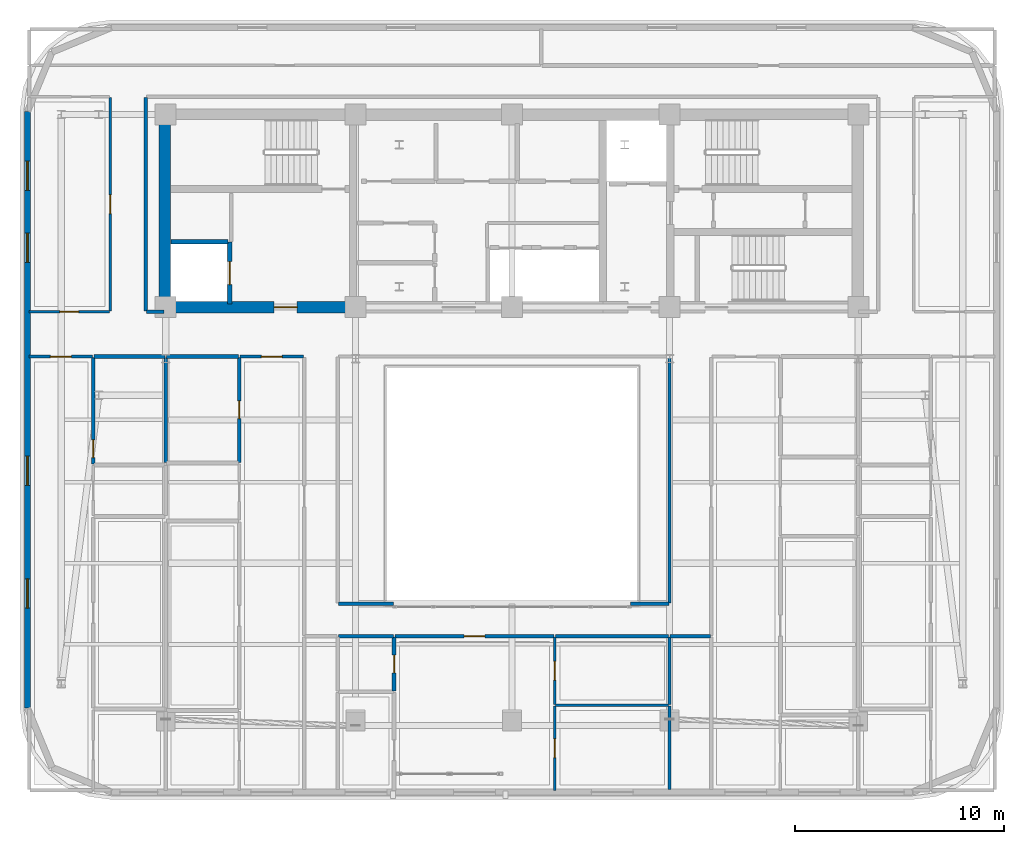
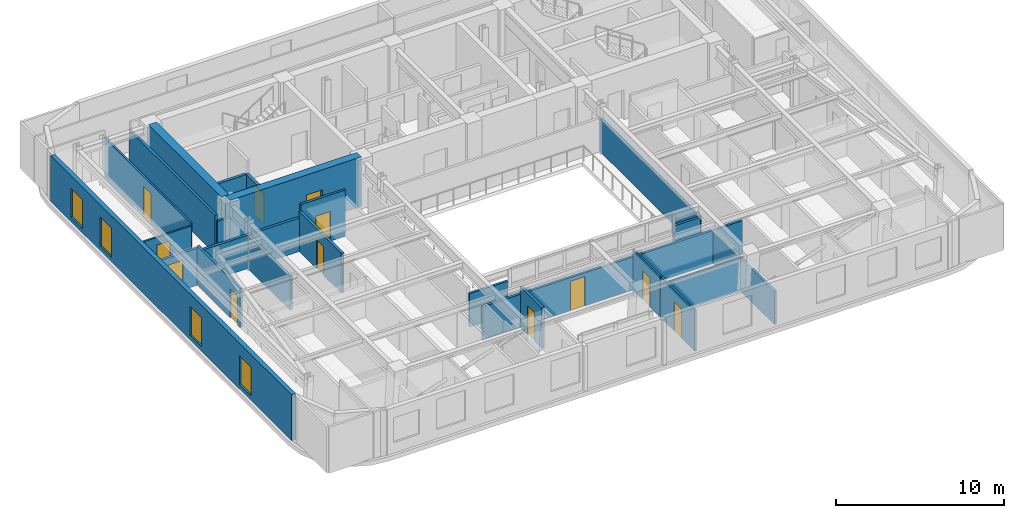
# One storey, part 7 of 15: 29 walls, 12 doors, 4 windows, 16 openings.
"""IFC4 building model written with IfcOpenShell, lengths in metres."""

from ifc_helpers import new_model, si_unit, direction, frame, frame_2d, origin, place, context, subcontext, project, spatial, rectangle, extrude, material, layer, layer_set, type_object, element, fill, save


model = new_model("IFC4")

# Units and contexts
model_context = context("Model", 3, precision=1e-05, world=origin(), true_north=direction((0.0, 1.0)))
body_context = subcontext(model_context, "Body", "Model", "MODEL_VIEW")
ifc_project = project(units=[si_unit("LENGTHUNIT", "METRE"), si_unit("AREAUNIT", "SQUARE_METRE"), si_unit("VOLUMEUNIT", "CUBIC_METRE"), si_unit("PLANEANGLEUNIT", "RADIAN"), si_unit("MASSUNIT", "GRAM", prefix="KILO")], contexts=[model_context])

# Site, building, storey
site_placement = place(None, origin())
site = spatial("IfcSite", under=ifc_project, at=site_placement, CompositionType="ELEMENT")
building_placement = place(site_placement, origin())
building = spatial("IfcBuilding", under=site, at=building_placement, Name="Zarnavel Station Tower", CompositionType="ELEMENT")
storey_placement = place(building_placement, frame((0.0, 0.0, 200.39990234375)))
storey = spatial("IfcBuildingStorey", under=building, at=storey_placement, Name="L54", CompositionType="ELEMENT", Elevation=200.39990234375)

# Wall, opening, door
ifc_material_1 = material(Name="Concrete C50/60", Category="concrete")
ifc_layer_1 = layer(ifc_material_1, 0.550048828125)
ifc_layer_set_1 = layer_set([ifc_layer_1], Name="CW_550")
wall_type_1 = type_object("IfcWallType", Name="CW_550", PredefinedType="SHEAR", material=ifc_layer_set_1)
wall_1_placement = place(storey_placement, frame((21.179931640625, 27.820068359375, 0.0), z_axis=(0.0, 0.0, 1.0), x_axis=(-1.0, 0.0, 0.0)))
wall_1 = element("IfcWall", 1, at=wall_1_placement, inside=storey, type_object=wall_type_1, Name="L54 Rear Core Shear Wall S-W", PredefinedType="SHEAR", context=body_context, shape_type="SweptSolid", body=[
    extrude(rectangle(XDim=9.030029296875, YDim=0.550048828125, at=frame_2d((4.51513671875, 0.0))), origin(), (0.0, 0.0, 1.0), 3.60009765625),
])
opening_1_placement = place(wall_1_placement, frame((2.679931640625, 0.0, 0.0)))
opening_1 = element("IfcOpeningElement", 2, at=opening_1_placement, cuts=wall_1, Name="Opening FD01", PredefinedType="OPENING", context=body_context, shape_type="SweptSolid", body=[
    extrude(rectangle(XDim=1.10009765625, YDim=2.14990234375, at=frame_2d((0.550048828125, 1.074951171875))), frame((0.0, 0.284912109375, 0.0), z_axis=(0.0, -1.0, 0.0), x_axis=(1.0, 0.0, 0.0)), (0.0, 0.0, 1.0), 0.570068359375),
])
ifc_material_2 = material(Name="Painted Galvanised Steel and Hardwood Leaf", Category="steel")
door_type_1 = type_object("IfcDoorType", Name="ID_STAIR_1100", OperationType="NOTDEFINED", PredefinedType="DOOR", material=ifc_material_2)
door_1_placement = place(opening_1_placement, origin())
door_1 = element("IfcDoor", 3, at=door_1_placement, inside=storey, type_object=door_type_1, Name="L54 West Firefighting Lobby Door", OperationType="SINGLE_SWING_RIGHT", OverallHeight=2.14990234375, OverallWidth=1.10009765625, PredefinedType="DOOR", context=body_context, shape_type="SweptSolid", body=[
    extrude(rectangle(XDim=1.10009765625, YDim=2.14990234375, at=frame_2d((0.550048828125, 1.074951171875))), frame((0.0, 0.02490234375, 0.0), z_axis=(0.0, -1.0, 0.0), x_axis=(1.0, 0.0, 0.0)), (0.0, 0.0, 1.0), 0.050048828125),
])
fill(opening_1, door_1)

# Wall
wall_2_placement = place(storey_placement, frame((12.14990234375, 28.094970703125, 0.0), z_axis=(0.0, 0.0, 1.0), x_axis=(0.0, 1.0, 0.0)))
element("IfcWall", 4, at=wall_2_placement, inside=storey, type_object=wall_type_1, Name="L54 Rear Core Shear Wall W", PredefinedType="SHEAR", context=body_context, shape_type="SweptSolid", body=[
    extrude(rectangle(XDim=8.679931640625, YDim=0.550048828125, at=frame_2d((4.33984375, 0.0))), origin(), (0.0, 0.0, 1.0), 3.60009765625),
])

# Wall, openings, windows
ifc_material_3 = material(Name="Precast concrete C45/55 (Dark Basalt Finish)", Category="masonry")
ifc_layer_2 = layer(ifc_material_3, 0.300048828125)
ifc_layer_set_2 = layer_set([ifc_layer_2], Name="EW_BASALT_300")
wall_type_2 = type_object("IfcWallType", Name="EW_BASALT_300", PredefinedType="SOLIDWALL", material=ifc_layer_set_2)
wall_3_placement = place(storey_placement, frame((5.580078125, 8.60009765625, 0.0), z_axis=(0.0, 0.0, 1.0), x_axis=(0.0, 1.0, 0.0)))
wall_3 = element("IfcWall", 5, at=wall_3_placement, inside=storey, type_object=wall_type_2, Name="L54 Exterior Basalt Masonry Frame Wall 09", PredefinedType="SOLIDWALL", context=body_context, shape_type="SweptSolid", body=[
    extrude(rectangle(XDim=28.599853515625, YDim=0.300048828125, at=frame_2d((14.2998046875, 0.0))), origin(), (0.0, 0.0, 1.0), 3.340087890625),
])
opening_2_placement = place(wall_3_placement, frame((21.360107421875, 0.0, 0.340087890625)))
opening_2 = element("IfcOpeningElement", 6, at=opening_2_placement, cuts=wall_3, Name="Opening WN04", PredefinedType="OPENING", context=body_context, shape_type="SweptSolid", body=[
    extrude(rectangle(XDim=1.39990234375, YDim=2.10009765625, at=frame_2d((0.699951171875, 1.050048828125))), frame((0.0, 0.159912109375, 0.0), z_axis=(0.0, -1.0, 0.0), x_axis=(1.0, 0.0, 0.0)), (0.0, 0.0, 1.0), 0.320068359375),
])
opening_3_placement = place(wall_3_placement, frame((24.820068359375, 0.0, 0.340087890625)))
opening_3 = element("IfcOpeningElement", 7, at=opening_3_placement, cuts=wall_3, Name="Opening WN04", PredefinedType="OPENING", context=body_context, shape_type="SweptSolid", body=[
    extrude(rectangle(XDim=1.39990234375, YDim=2.10009765625, at=frame_2d((0.699951171875, 1.050048828125))), frame((0.0, 0.159912109375, 0.0), z_axis=(0.0, -1.0, 0.0), x_axis=(1.0, 0.0, 0.0)), (0.0, 0.0, 1.0), 0.320068359375),
])
opening_4_placement = place(wall_3_placement, frame((4.796630859375, 0.0, 0.340087890625)))
opening_4 = element("IfcOpeningElement", 8, at=opening_4_placement, cuts=wall_3, Name="Opening WN04", PredefinedType="OPENING", context=body_context, shape_type="SweptSolid", body=[
    extrude(rectangle(XDim=1.39990234375, YDim=2.10009765625, at=frame_2d((0.699951171875, 1.050048828125))), frame((0.0, 0.159912109375, 0.0), z_axis=(0.0, -1.0, 0.0), x_axis=(1.0, 0.0, 0.0)), (0.0, 0.0, 1.0), 0.320068359375),
])
opening_5_placement = place(wall_3_placement, frame((10.67333984375, 0.0, 0.340087890625)))
opening_5 = element("IfcOpeningElement", 9, at=opening_5_placement, cuts=wall_3, Name="Opening WN04", PredefinedType="OPENING", context=body_context, shape_type="SweptSolid", body=[
    extrude(rectangle(XDim=1.39990234375, YDim=2.10009765625, at=frame_2d((0.699951171875, 1.050048828125))), frame((0.0, 0.159912109375, 0.0), z_axis=(0.0, -1.0, 0.0), x_axis=(1.0, 0.0, 0.0)), (0.0, 0.0, 1.0), 0.320068359375),
])
ifc_material_4 = material(Name="Thermally Broken Black Aluminium and Low-E Dark Glass", Category="aluminium")
window_type = type_object("IfcWindowType", Name="WN_1400x2100", PartitioningType="DOUBLE_PANEL_VERTICAL", PredefinedType="WINDOW", material=ifc_material_4)
window_1_placement = place(opening_2_placement, origin())
window_1 = element("IfcWindow", 10, at=window_1_placement, inside=storey, type_object=window_type, Name="L54 Recessed Facade Window 01", OverallHeight=2.10009765625, OverallWidth=1.39990234375, PartitioningType="SINGLE_PANEL", PredefinedType="WINDOW", context=body_context, shape_type="SweptSolid", body=[
    extrude(rectangle(XDim=1.39990234375, YDim=2.10009765625, at=frame_2d((0.699951171875, 1.050048828125))), frame((0.0, 0.030029296875, 0.0), z_axis=(0.0, -1.0, 0.0), x_axis=(1.0, 0.0, 0.0)), (0.0, 0.0, 1.0), 0.06005859375),
])
fill(opening_2, window_1)
window_2_placement = place(opening_3_placement, origin())
window_2 = element("IfcWindow", 11, at=window_2_placement, inside=storey, type_object=window_type, Name="L54 Recessed Facade Window 02", OverallHeight=2.10009765625, OverallWidth=1.39990234375, PartitioningType="SINGLE_PANEL", PredefinedType="WINDOW", context=body_context, shape_type="SweptSolid", body=[
    extrude(rectangle(XDim=1.39990234375, YDim=2.10009765625, at=frame_2d((0.699951171875, 1.050048828125))), frame((0.0, 0.030029296875, 0.0), z_axis=(0.0, -1.0, 0.0), x_axis=(1.0, 0.0, 0.0)), (0.0, 0.0, 1.0), 0.06005859375),
])
fill(opening_3, window_2)
window_3_placement = place(opening_4_placement, origin())
window_3 = element("IfcWindow", 12, at=window_3_placement, inside=storey, type_object=window_type, Name="L54 Recessed Facade Window 03", OverallHeight=2.10009765625, OverallWidth=1.39990234375, PartitioningType="SINGLE_PANEL", PredefinedType="WINDOW", context=body_context, shape_type="SweptSolid", body=[
    extrude(rectangle(XDim=1.39990234375, YDim=2.10009765625, at=frame_2d((0.699951171875, 1.050048828125))), frame((0.0, 0.030029296875, 0.0), z_axis=(0.0, -1.0, 0.0), x_axis=(1.0, 0.0, 0.0)), (0.0, 0.0, 1.0), 0.06005859375),
])
fill(opening_4, window_3)
window_4_placement = place(opening_5_placement, origin())
window_4 = element("IfcWindow", 13, at=window_4_placement, inside=storey, type_object=window_type, Name="L54 Recessed Facade Window 04", OverallHeight=2.10009765625, OverallWidth=1.39990234375, PartitioningType="SINGLE_PANEL", PredefinedType="WINDOW", context=body_context, shape_type="SweptSolid", body=[
    extrude(rectangle(XDim=1.39990234375, YDim=2.10009765625, at=frame_2d((0.699951171875, 1.050048828125))), frame((0.0, 0.030029296875, 0.0), z_axis=(0.0, -1.0, 0.0), x_axis=(1.0, 0.0, 0.0)), (0.0, 0.0, 1.0), 0.06005859375),
])
fill(opening_5, window_4)

# Wall, opening, door
ifc_material_5 = material(Name="Gypsum Twin-Stud Acoustic Fire Partition", Category="concrete")
ifc_layer_3 = layer(ifc_material_5, 0.159912109375)
ifc_layer_set_3 = layer_set([ifc_layer_3], Name="PT_DEMISE_160")
wall_type_3 = type_object("IfcWallType", Name="PT_DEMISE_160", PredefinedType="PARTITIONING", material=ifc_layer_set_3)
wall_4_placement = place(storey_placement, frame((5.659912109375, 25.449951171875, 0.0), z_axis=(0.0, 0.0, 1.0), x_axis=(1.0, 0.0, 0.0)))
wall_4 = element("IfcWall", 14, at=wall_4_placement, inside=storey, type_object=wall_type_3, Name="L54 Partition COR-S-UW1LV", PredefinedType="PARTITIONING", context=body_context, shape_type="SweptSolid", body=[
    extrude(rectangle(XDim=3.0341796875, YDim=0.159912109375, at=frame_2d((1.51708984375, 0.0))), origin(), (0.0, 0.0, 1.0), 2.670166015625),
])
opening_6_placement = place(wall_4_placement, frame((1.01708984375, 0.0, 0.0)))
opening_6 = element("IfcOpeningElement", 15, at=opening_6_placement, cuts=wall_4, Name="Opening FD02", PredefinedType="OPENING", context=body_context, shape_type="SweptSolid", body=[
    extrude(rectangle(XDim=1.0, YDim=2.14990234375, at=frame_2d((0.5, 1.074951171875))), frame((0.0, 0.08984375, 0.0), z_axis=(0.0, -1.0, 0.0), x_axis=(1.0, 0.0, 0.0)), (0.0, 0.0, 1.0), 0.179931640625),
])
ifc_material_6 = material(Name="Painted Galvanised Steel and Hardwood Leaf", Category="steel")
door_type_2 = type_object("IfcDoorType", Name="ID_ENTRY_1000", OperationType="NOTDEFINED", PredefinedType="DOOR", material=ifc_material_6)
door_2_placement = place(opening_6_placement, origin())
door_2 = element("IfcDoor", 16, at=door_2_placement, inside=storey, type_object=door_type_2, Name="L54 Door COR-S-UW1LV", OperationType="SINGLE_SWING_LEFT", OverallHeight=2.14990234375, OverallWidth=1.0, PredefinedType="DOOR", context=body_context, shape_type="SweptSolid", body=[
    extrude(rectangle(XDim=1.0, YDim=2.14990234375, at=frame_2d((0.5, 1.074951171875))), frame((0.0, 0.02490234375, 0.0), z_axis=(0.0, -1.0, 0.0), x_axis=(1.0, 0.0, 0.0)), (0.0, 0.0, 1.0), 0.050048828125),
])
fill(opening_6, door_2)

wall_5_placement = place(storey_placement, frame((15.764892578125, 25.449951171875, 0.0), z_axis=(0.0, 0.0, 1.0), x_axis=(1.0, 0.0, 0.0)))
wall_5 = element("IfcWall", 17, at=wall_5_placement, inside=storey, type_object=wall_type_3, Name="L54 Partition COR-S-UW2LV", PredefinedType="PARTITIONING", context=body_context, shape_type="SweptSolid", body=[
    extrude(rectangle(XDim=3.045166015625, YDim=0.159912109375, at=frame_2d((1.5224609375, 0.0))), origin(), (0.0, 0.0, 1.0), 3.340087890625),
])
opening_7_placement = place(wall_5_placement, frame((1.0224609375, 0.0, 0.0)))
opening_7 = element("IfcOpeningElement", 18, at=opening_7_placement, cuts=wall_5, Name="Opening FD02", PredefinedType="OPENING", context=body_context, shape_type="SweptSolid", body=[
    extrude(rectangle(XDim=1.0, YDim=2.14990234375, at=frame_2d((0.5, 1.074951171875))), frame((0.0, 0.08984375, 0.0), z_axis=(0.0, -1.0, 0.0), x_axis=(1.0, 0.0, 0.0)), (0.0, 0.0, 1.0), 0.179931640625),
])
door_3_placement = place(opening_7_placement, origin())
door_3 = element("IfcDoor", 19, at=door_3_placement, inside=storey, type_object=door_type_2, Name="L54 Door COR-S-UW2LV", OperationType="SINGLE_SWING_RIGHT", OverallHeight=2.14990234375, OverallWidth=1.0, PredefinedType="DOOR", context=body_context, shape_type="SweptSolid", body=[
    extrude(rectangle(XDim=1.0, YDim=2.14990234375, at=frame_2d((0.5, 1.074951171875))), frame((0.0, 0.02490234375, 0.0), z_axis=(0.0, -1.0, 0.0), x_axis=(1.0, 0.0, 0.0)), (0.0, 0.0, 1.0), 0.050048828125),
])
fill(opening_7, door_3)

wall_6_placement = place(storey_placement, frame((23.18994140625, 12.050048828125, 0.0), z_axis=(0.0, 0.0, 1.0), x_axis=(1.0, 0.0, 0.0)))
wall_6 = element("IfcWall", 20, at=wall_6_placement, inside=storey, type_object=wall_type_3, Name="L54 Partition COR-AS-US1LV", PredefinedType="PARTITIONING", context=body_context, shape_type="SweptSolid", body=[
    extrude(rectangle(XDim=7.6201171875, YDim=0.159912109375, at=frame_2d((3.81005859375, 0.0))), origin(), (0.0, 0.0, 1.0), 2.420166015625),
])
opening_8_placement = place(wall_6_placement, frame((3.31005859375, 0.0, 0.0)))
opening_8 = element("IfcOpeningElement", 21, at=opening_8_placement, cuts=wall_6, Name="Opening FD02", PredefinedType="OPENING", context=body_context, shape_type="SweptSolid", body=[
    extrude(rectangle(XDim=1.0, YDim=2.14990234375, at=frame_2d((0.5, 1.074951171875))), frame((0.0, 0.08984375, 0.0), z_axis=(0.0, -1.0, 0.0), x_axis=(1.0, 0.0, 0.0)), (0.0, 0.0, 1.0), 0.179931640625),
])
door_4_placement = place(opening_8_placement, origin())
door_4 = element("IfcDoor", 22, at=door_4_placement, inside=storey, type_object=door_type_2, Name="L54 Door COR-AS-US1LV", OperationType="SINGLE_SWING_LEFT", OverallHeight=2.14990234375, OverallWidth=1.0, PredefinedType="DOOR", context=body_context, shape_type="SweptSolid", body=[
    extrude(rectangle(XDim=1.0, YDim=2.14990234375, at=frame_2d((0.5, 1.074951171875))), frame((0.0, 0.02490234375, 0.0), z_axis=(0.0, -1.0, 0.0), x_axis=(1.0, 0.0, 0.0)), (0.0, 0.0, 1.0), 0.050048828125),
])
fill(opening_8, door_4)

# Walls
wall_7_placement = place(storey_placement, frame((30.889892578125, 12.050048828125, 0.0), z_axis=(0.0, 0.0, 1.0), x_axis=(1.0, 0.0, 0.0)))
element("IfcWall", 23, at=wall_7_placement, inside=storey, type_object=wall_type_3, Name="L54 Partition COR-AS-US1B2", PredefinedType="PARTITIONING", context=body_context, shape_type="SweptSolid", body=[
    extrude(rectangle(XDim=5.420166015625, YDim=0.159912109375, at=frame_2d((2.7099609375, 0.0))), origin(), (0.0, 0.0, 1.0), 2.420166015625),
])
wall_8_placement = place(storey_placement, frame((11.280029296875, 27.60009765625, 0.0), z_axis=(0.0, 0.0, 1.0), x_axis=(1.0, 0.0, 0.0)))
element("IfcWall", 24, at=wall_8_placement, inside=storey, type_object=wall_type_3, Name="L54 Enclosure Wall COR-S", PredefinedType="PARTITIONING", context=body_context, shape_type="SweptSolid", body=[
    extrude(rectangle(XDim=0.840087890625, YDim=0.159912109375, at=frame_2d((0.419921875, 0.0))), origin(), (0.0, 0.0, 1.0), 2.41015625),
])
wall_9_placement = place(storey_placement, frame((36.3798828125, 12.050048828125, 0.0), z_axis=(0.0, 0.0, 1.0), x_axis=(1.0, 0.0, 0.0)))
element("IfcWall", 25, at=wall_9_placement, inside=storey, type_object=wall_type_3, Name="L54 Enclosure Wall COR-AE", PredefinedType="PARTITIONING", context=body_context, shape_type="SweptSolid", body=[
    extrude(rectangle(XDim=1.940185546875, YDim=0.159912109375, at=frame_2d((0.97021484375, 0.0))), origin(), (0.0, 0.0, 1.0), 2.420166015625),
])
wall_10_placement = place(storey_placement, frame((36.35009765625, 13.6298828125, 0.0), z_axis=(0.0, 0.0, 1.0), x_axis=(0.0, 1.0, 0.0)))
element("IfcWall", 26, at=wall_10_placement, inside=storey, type_object=wall_type_3, Name="L54 Enclosure Wall COR-AE", PredefinedType="PARTITIONING", context=body_context, shape_type="SweptSolid", body=[
    extrude(rectangle(XDim=11.7900390625, YDim=0.159912109375, at=frame_2d((5.89501953125, 0.0))), origin(), (0.0, 0.0, 1.0), 2.420166015625),
])
wall_11_placement = place(storey_placement, frame((20.47998046875, 13.60009765625, 0.0), z_axis=(0.0, 0.0, 1.0), x_axis=(1.0, 0.0, 0.0)))
element("IfcWall", 27, at=wall_11_placement, inside=storey, type_object=wall_type_3, Name="L54 Enclosure Wall COR-AS", PredefinedType="PARTITIONING", context=body_context, shape_type="SweptSolid", body=[
    extrude(rectangle(XDim=2.64013671875, YDim=0.159912109375, at=frame_2d((1.320068359375, 0.0))), origin(), (0.0, 0.0, 1.0), 2.420166015625),
])
wall_12_placement = place(storey_placement, frame((34.47998046875, 13.60009765625, 0.0), z_axis=(0.0, 0.0, 1.0), x_axis=(1.0, 0.0, 0.0)))
element("IfcWall", 28, at=wall_12_placement, inside=storey, type_object=wall_type_3, Name="L54 Enclosure Wall COR-AS", PredefinedType="PARTITIONING", context=body_context, shape_type="SweptSolid", body=[
    extrude(rectangle(XDim=1.840087890625, YDim=0.159912109375, at=frame_2d((0.919921875, 0.0))), origin(), (0.0, 0.0, 1.0), 2.420166015625),
])
wall_13_placement = place(storey_placement, frame((11.25, 27.6298828125, 0.0), z_axis=(0.0, 0.0, 1.0), x_axis=(0.0, 1.0, 0.0)))
element("IfcWall", 29, at=wall_13_placement, inside=storey, type_object=wall_type_3, Name="L54 Enclosure Wall COR-W", PredefinedType="PARTITIONING", context=body_context, shape_type="SweptSolid", body=[
    extrude(rectangle(XDim=10.240234375, YDim=0.159912109375, at=frame_2d((5.1201171875, 0.0))), origin(), (0.0, 0.0, 1.0), 2.820068359375),
])
wall_14_placement = place(storey_placement, frame((36.35009765625, 4.68994140625, 0.0), z_axis=(0.0, 0.0, 1.0), x_axis=(0.0, 1.0, 0.0)))
element("IfcWall", 30, at=wall_14_placement, inside=storey, type_object=wall_type_3, Name="L54 Enclosure Wall US1B1", PredefinedType="PARTITIONING", context=body_context, shape_type="SweptSolid", body=[
    extrude(rectangle(XDim=4.01513671875, YDim=0.159912109375, at=frame_2d((2.007568359375, 0.0))), origin(), (0.0, 0.0, 1.0), 2.420166015625),
])
wall_15_placement = place(storey_placement, frame((36.35009765625, 8.764892578125, 0.0), z_axis=(0.0, 0.0, 1.0), x_axis=(0.0, 1.0, 0.0)))
element("IfcWall", 31, at=wall_15_placement, inside=storey, type_object=wall_type_3, Name="L54 Enclosure Wall US1B2", PredefinedType="PARTITIONING", context=body_context, shape_type="SweptSolid", body=[
    extrude(rectangle(XDim=3.255126953125, YDim=0.159912109375, at=frame_2d((1.62744140625, 0.0))), origin(), (0.0, 0.0, 1.0), 2.420166015625),
])

# Wall, opening, door
ifc_material_7 = material(Name="Gypsum Metal-Stud Interior Partition", Category="concrete")
ifc_layer_4 = layer(ifc_material_7, 0.1201171875)
ifc_layer_set_4 = layer_set([ifc_layer_4], Name="PT_ROOM_120")
wall_type_4 = type_object("IfcWallType", Name="PT_ROOM_120", PredefinedType="PARTITIONING", material=ifc_layer_set_4)
wall_16_placement = place(storey_placement, frame((5.659912109375, 27.60009765625, 0.0), z_axis=(0.0, 0.0, 1.0), x_axis=(1.0, 0.0, 0.0)))
wall_16 = element("IfcWall", 32, at=wall_16_placement, inside=storey, type_object=wall_type_4, Name="L54 Partition COR-S-FNW", PredefinedType="PARTITIONING", context=body_context, shape_type="SweptSolid", body=[
    extrude(rectangle(XDim=3.85009765625, YDim=0.1201171875, at=frame_2d((1.925048828125, 0.0))), origin(), (0.0, 0.0, 1.0), 2.670166015625),
])
opening_9_placement = place(wall_16_placement, frame((1.47509765625, 0.0, 0.0)))
opening_9 = element("IfcOpeningElement", 33, at=opening_9_placement, cuts=wall_16, Name="Opening ID01", PredefinedType="OPENING", context=body_context, shape_type="SweptSolid", body=[
    extrude(rectangle(XDim=0.89990234375, YDim=2.10009765625, at=frame_2d((0.449951171875, 1.050048828125))), frame((0.0, 0.070068359375, 0.0), z_axis=(0.0, -1.0, 0.0), x_axis=(1.0, 0.0, 0.0)), (0.0, 0.0, 1.0), 0.14013671875),
])
ifc_material_8 = material(Name="Painted Galvanised Steel and Hardwood Leaf", Category="steel")
door_type_3 = type_object("IfcDoorType", Name="ID_ROOM_900", OperationType="NOTDEFINED", PredefinedType="DOOR", material=ifc_material_8)
door_5_placement = place(opening_9_placement, origin())
door_5 = element("IfcDoor", 34, at=door_5_placement, inside=storey, type_object=door_type_3, Name="L54 Door COR-S-FNW", OperationType="SINGLE_SWING_LEFT", OverallHeight=2.10009765625, OverallWidth=0.89990234375, PredefinedType="DOOR", context=body_context, shape_type="SweptSolid", body=[
    extrude(rectangle(XDim=0.89990234375, YDim=2.10009765625, at=frame_2d((0.449951171875, 1.050048828125))), frame((0.0, 0.02490234375, 0.0), z_axis=(0.0, -1.0, 0.0), x_axis=(1.0, 0.0, 0.0)), (0.0, 0.0, 1.0), 0.050048828125),
])
fill(opening_9, door_5)

wall_17_placement = place(storey_placement, frame((9.550048828125, 27.639892578125, 0.0), z_axis=(0.0, 0.0, 1.0), x_axis=(0.0, 1.0, 0.0)))
wall_17 = element("IfcWall", 35, at=wall_17_placement, inside=storey, type_object=wall_type_4, Name="L54 Partition COR-W-FNW", PredefinedType="PARTITIONING", context=body_context, shape_type="SweptSolid", body=[
    extrude(rectangle(XDim=10.22021484375, YDim=0.1201171875, at=frame_2d((5.110107421875, 0.0))), origin(), (0.0, 0.0, 1.0), 2.820068359375),
])
opening_10_placement = place(wall_17_placement, frame((4.659912109375, 0.0, 0.0)))
opening_10 = element("IfcOpeningElement", 36, at=opening_10_placement, cuts=wall_17, Name="Opening ID01", PredefinedType="OPENING", context=body_context, shape_type="SweptSolid", body=[
    extrude(rectangle(XDim=0.89990234375, YDim=2.10009765625, at=frame_2d((0.449951171875, 1.050048828125))), frame((0.0, 0.070068359375, 0.0), z_axis=(0.0, -1.0, 0.0), x_axis=(1.0, 0.0, 0.0)), (0.0, 0.0, 1.0), 0.14013671875),
])
door_6_placement = place(opening_10_placement, origin())
door_6 = element("IfcDoor", 37, at=door_6_placement, inside=storey, type_object=door_type_3, Name="L54 Door COR-W-FNW", OperationType="SINGLE_SWING_RIGHT", OverallHeight=2.10009765625, OverallWidth=0.89990234375, PredefinedType="DOOR", context=body_context, shape_type="SweptSolid", body=[
    extrude(rectangle(XDim=0.89990234375, YDim=2.10009765625, at=frame_2d((0.449951171875, 1.050048828125))), frame((0.0, 0.02490234375, 0.0), z_axis=(0.0, -1.0, 0.0), x_axis=(1.0, 0.0, 0.0)), (0.0, 0.0, 1.0), 0.050048828125),
])
fill(opening_10, door_6)

wall_18_placement = place(storey_placement, frame((30.85009765625, 4.659912109375, 0.0), z_axis=(0.0, 0.0, 1.0), x_axis=(0.0, 1.0, 0.0)))
wall_18 = element("IfcWall", 38, at=wall_18_placement, inside=storey, type_object=wall_type_4, Name="L54 Partition US1LV-US1B1", PredefinedType="PARTITIONING", context=body_context, shape_type="SweptSolid", body=[
    extrude(rectangle(XDim=4.03515625, YDim=0.1201171875, at=frame_2d((2.017578125, 0.0))), origin(), (0.0, 0.0, 1.0), 3.0),
])
opening_11_placement = place(wall_18_placement, frame((1.5673828125, 0.0, 0.0)))
opening_11 = element("IfcOpeningElement", 39, at=opening_11_placement, cuts=wall_18, Name="Opening ID01", PredefinedType="OPENING", context=body_context, shape_type="SweptSolid", body=[
    extrude(rectangle(XDim=0.89990234375, YDim=2.10009765625, at=frame_2d((0.449951171875, 1.050048828125))), frame((0.0, 0.070068359375, 0.0), z_axis=(0.0, -1.0, 0.0), x_axis=(1.0, 0.0, 0.0)), (0.0, 0.0, 1.0), 0.14013671875),
])
door_7_placement = place(opening_11_placement, origin())
door_7 = element("IfcDoor", 40, at=door_7_placement, inside=storey, type_object=door_type_3, Name="L54 Door US1LV-US1B1", OperationType="SINGLE_SWING_RIGHT", OverallHeight=2.10009765625, OverallWidth=0.89990234375, PredefinedType="DOOR", context=body_context, shape_type="SweptSolid", body=[
    extrude(rectangle(XDim=0.89990234375, YDim=2.10009765625, at=frame_2d((0.449951171875, 1.050048828125))), frame((0.0, 0.02490234375, 0.0), z_axis=(0.0, -1.0, 0.0), x_axis=(1.0, 0.0, 0.0)), (0.0, 0.0, 1.0), 0.050048828125),
])
fill(opening_11, door_7)

wall_19_placement = place(storey_placement, frame((30.85009765625, 8.77490234375, 0.0), z_axis=(0.0, 0.0, 1.0), x_axis=(0.0, 1.0, 0.0)))
wall_19 = element("IfcWall", 41, at=wall_19_placement, inside=storey, type_object=wall_type_4, Name="L54 Partition US1LV-US1B2", PredefinedType="PARTITIONING", context=body_context, shape_type="SweptSolid", body=[
    extrude(rectangle(XDim=3.235107421875, YDim=0.1201171875, at=frame_2d((1.61767578125, 0.0))), origin(), (0.0, 0.0, 1.0), 2.960205078125),
])
opening_12_placement = place(wall_19_placement, frame((1.16748046875, 0.0, 0.0)))
opening_12 = element("IfcOpeningElement", 42, at=opening_12_placement, cuts=wall_19, Name="Opening ID01", PredefinedType="OPENING", context=body_context, shape_type="SweptSolid", body=[
    extrude(rectangle(XDim=0.89990234375, YDim=2.10009765625, at=frame_2d((0.449951171875, 1.050048828125))), frame((0.0, 0.070068359375, 0.0), z_axis=(0.0, -1.0, 0.0), x_axis=(1.0, 0.0, 0.0)), (0.0, 0.0, 1.0), 0.14013671875),
])
door_8_placement = place(opening_12_placement, origin())
door_8 = element("IfcDoor", 43, at=door_8_placement, inside=storey, type_object=door_type_3, Name="L54 Door US1LV-US1B2", OperationType="SINGLE_SWING_LEFT", OverallHeight=2.10009765625, OverallWidth=0.89990234375, PredefinedType="DOOR", context=body_context, shape_type="SweptSolid", body=[
    extrude(rectangle(XDim=0.89990234375, YDim=2.10009765625, at=frame_2d((0.449951171875, 1.050048828125))), frame((0.0, 0.02490234375, 0.0), z_axis=(0.0, -1.0, 0.0), x_axis=(1.0, 0.0, 0.0)), (0.0, 0.0, 1.0), 0.050048828125),
])
fill(opening_12, door_8)

# Wall
wall_20_placement = place(storey_placement, frame((30.889892578125, 8.735107421875, 0.0), z_axis=(0.0, 0.0, 1.0), x_axis=(1.0, 0.0, 0.0)))
element("IfcWall", 44, at=wall_20_placement, inside=storey, type_object=wall_type_4, Name="L54 Partition US1B1-US1B2", PredefinedType="PARTITIONING", context=body_context, shape_type="SweptSolid", body=[
    extrude(rectangle(XDim=5.420166015625, YDim=0.1201171875, at=frame_2d((2.7099609375, 0.0))), origin(), (0.0, 0.0, 1.0), 2.420166015625),
])

# Wall, opening, door
ifc_material_9 = material(Name="Precast concrete C45/55 (Fire Shaft Blockwork)", Category="masonry")
ifc_layer_5 = layer(ifc_material_9, 0.199951171875)
ifc_layer_set_5 = layer_set([ifc_layer_5], Name="PT_SHAFT_200")
wall_type_5 = type_object("IfcWallType", Name="PT_SHAFT_200", PredefinedType="PARTITIONING", material=ifc_layer_set_5)
wall_21_placement = place(storey_placement, frame((15.27001953125, 27.969970703125, 0.0), z_axis=(0.0, 0.0, 1.0), x_axis=(0.0, 1.0, 0.0)))
wall_21 = element("IfcWall", 45, at=wall_21_placement, inside=storey, type_object=wall_type_5, Name="L54 Lift FFL-01 Shaft Front Wall", PredefinedType="PARTITIONING", context=body_context, shape_type="SweptSolid", body=[
    extrude(rectangle(XDim=2.9599609375, YDim=0.199951171875, at=frame_2d((1.47998046875, 0.0))), origin(), (0.0, 0.0, 1.0), 2.41015625),
])
opening_13_placement = place(wall_21_placement, frame((0.929931640625, 0.0, 0.0)))
opening_13 = element("IfcOpeningElement", 46, at=opening_13_placement, cuts=wall_21, Name="Opening LD01", PredefinedType="OPENING", context=body_context, shape_type="SweptSolid", body=[
    extrude(rectangle(XDim=1.10009765625, YDim=2.14990234375, at=frame_2d((0.550048828125, 1.074951171875))), frame((0.0, 0.10986328125, 0.0), z_axis=(0.0, -1.0, 0.0), x_axis=(1.0, 0.0, 0.0)), (0.0, 0.0, 1.0), 0.219970703125),
])
ifc_material_10 = material(Name="Painted Galvanised Steel and Hardwood Leaf", Category="steel")
door_type_4 = type_object("IfcDoorType", Name="LD_FF_1100", OperationType="DOUBLE_DOOR_SLIDING", PredefinedType="DOOR", material=ifc_material_10)
door_9_placement = place(opening_13_placement, origin())
door_9 = element("IfcDoor", 47, at=door_9_placement, inside=storey, type_object=door_type_4, Name="L54 Lift FFL-01 Sliding Landing Door", OperationType="DOUBLE_DOOR_SLIDING", OverallHeight=2.14990234375, OverallWidth=1.10009765625, PredefinedType="DOOR", context=body_context, shape_type="SweptSolid", body=[
    extrude(rectangle(XDim=1.10009765625, YDim=2.14990234375, at=frame_2d((0.550048828125, 1.074951171875))), frame((0.0, 0.02490234375, 0.0), z_axis=(0.0, -1.0, 0.0), x_axis=(1.0, 0.0, 0.0)), (0.0, 0.0, 1.0), 0.050048828125),
])
fill(opening_13, door_9)

# Walls
wall_22_placement = place(storey_placement, frame((12.449951171875, 30.949951171875, 0.0), z_axis=(0.0, 0.0, 1.0), x_axis=(1.0, 0.0, 0.0)))
element("IfcWall", 48, at=wall_22_placement, inside=storey, type_object=wall_type_5, Name="L54 Lift FFL-01 North Shaft Wall", PredefinedType="PARTITIONING", context=body_context, shape_type="SweptSolid", body=[
    extrude(rectangle(XDim=2.75, YDim=0.199951171875, at=frame_2d((1.375, 0.0))), origin(), (0.0, 0.0, 1.0), 2.41015625),
])
ifc_material_11 = material(Name="Moisture-Resistant Plumbing Chase Wall", Category="concrete")
ifc_layer_6 = layer(ifc_material_11, 0.179931640625)
ifc_layer_set_6 = layer_set([ifc_layer_6], Name="PW_PLUMB_180")
wall_type_6 = type_object("IfcWallType", Name="PW_PLUMB_180", PredefinedType="PLUMBINGWALL", material=ifc_layer_set_6)
wall_23_placement = place(storey_placement, frame((8.77392578125, 25.449951171875, 0.0), z_axis=(0.0, 0.0, 1.0), x_axis=(1.0, 0.0, 0.0)))
element("IfcWall", 49, at=wall_23_placement, inside=storey, type_object=wall_type_6, Name="L54 Partition COR-S-UW1BA", PredefinedType="PLUMBINGWALL", context=body_context, shape_type="SweptSolid", body=[
    extrude(rectangle(XDim=3.385986328125, YDim=0.179931640625, at=frame_2d((1.69287109375, 0.0))), origin(), (0.0, 0.0, 1.0), 2.420166015625),
])
wall_24_placement = place(storey_placement, frame((12.239990234375, 25.449951171875, 0.0), z_axis=(0.0, 0.0, 1.0), x_axis=(1.0, 0.0, 0.0)))
element("IfcWall", 50, at=wall_24_placement, inside=storey, type_object=wall_type_6, Name="L54 Partition COR-S-UW2BA", PredefinedType="PLUMBINGWALL", context=body_context, shape_type="SweptSolid", body=[
    extrude(rectangle(XDim=3.445068359375, YDim=0.179931640625, at=frame_2d((1.72265625, 0.0))), origin(), (0.0, 0.0, 1.0), 2.420166015625),
])
wall_25_placement = place(storey_placement, frame((20.489990234375, 12.050048828125, 0.0), z_axis=(0.0, 0.0, 1.0), x_axis=(1.0, 0.0, 0.0)))
element("IfcWall", 51, at=wall_25_placement, inside=storey, type_object=wall_type_6, Name="L54 Partition COR-AS-US1BA", PredefinedType="PLUMBINGWALL", context=body_context, shape_type="SweptSolid", body=[
    extrude(rectangle(XDim=2.6201171875, YDim=0.179931640625, at=frame_2d((1.31005859375, 0.0))), origin(), (0.0, 0.0, 1.0), 2.420166015625),
])

# Wall, opening, door
wall_26_placement = place(storey_placement, frame((8.73388671875, 20.297119140625, 0.0), z_axis=(0.0, 0.0, 1.0), x_axis=(0.0, 1.0, 0.0)))
wall_26 = element("IfcWall", 52, at=wall_26_placement, inside=storey, type_object=wall_type_6, Name="L54 Partition UW1LV-UW1BA", PredefinedType="PLUMBINGWALL", context=body_context, shape_type="SweptSolid", body=[
    extrude(rectangle(XDim=5.11279296875, YDim=0.179931640625, at=frame_2d((2.556396484375, 0.0))), origin(), (0.0, 0.0, 1.0), 2.820068359375),
])
opening_14_placement = place(wall_26_placement, frame((0.305908203125, 0.0, 0.0)))
opening_14 = element("IfcOpeningElement", 53, at=opening_14_placement, cuts=wall_26, Name="Opening ID02", PredefinedType="OPENING", context=body_context, shape_type="SweptSolid", body=[
    extrude(rectangle(XDim=0.85009765625, YDim=2.10009765625, at=frame_2d((0.425048828125, 1.050048828125))), frame((0.0, 0.099853515625, 0.0), z_axis=(0.0, -1.0, 0.0), x_axis=(1.0, 0.0, 0.0)), (0.0, 0.0, 1.0), 0.199951171875),
])
ifc_material_12 = material(Name="Painted Galvanised Steel and Hardwood Leaf", Category="steel")
door_type_5 = type_object("IfcDoorType", Name="ID_BATH_850", OperationType="NOTDEFINED", PredefinedType="DOOR", material=ifc_material_12)
door_10_placement = place(opening_14_placement, origin())
door_10 = element("IfcDoor", 54, at=door_10_placement, inside=storey, type_object=door_type_5, Name="L54 Door UW1LV-UW1BA", OperationType="SINGLE_SWING_LEFT", OverallHeight=2.10009765625, OverallWidth=0.85009765625, PredefinedType="DOOR", context=body_context, shape_type="SweptSolid", body=[
    extrude(rectangle(XDim=0.85009765625, YDim=2.10009765625, at=frame_2d((0.425048828125, 1.050048828125))), frame((0.0, 0.02490234375, 0.0), z_axis=(0.0, -1.0, 0.0), x_axis=(1.0, 0.0, 0.0)), (0.0, 0.0, 1.0), 0.050048828125),
])
fill(opening_14, door_10)

# Wall
wall_27_placement = place(storey_placement, frame((12.199951171875, 20.384033203125, 0.0), z_axis=(0.0, 0.0, 1.0), x_axis=(0.0, 1.0, 0.0)))
element("IfcWall", 55, at=wall_27_placement, inside=storey, type_object=wall_type_6, Name="L54 Partition UW1BA-UW2BA", PredefinedType="PLUMBINGWALL", context=body_context, shape_type="SweptSolid", body=[
    extrude(rectangle(XDim=5.02587890625, YDim=0.179931640625, at=frame_2d((2.512939453125, 0.0))), origin(), (0.0, 0.0, 1.0), 2.420166015625),
])

# Wall, opening, door
wall_28_placement = place(storey_placement, frame((15.72509765625, 20.384033203125, 0.0), z_axis=(0.0, 0.0, 1.0), x_axis=(0.0, 1.0, 0.0)))
wall_28 = element("IfcWall", 56, at=wall_28_placement, inside=storey, type_object=wall_type_6, Name="L54 Partition UW2LV-UW2BA", PredefinedType="PLUMBINGWALL", context=body_context, shape_type="SweptSolid", body=[
    extrude(rectangle(XDim=5.02587890625, YDim=0.179931640625, at=frame_2d((2.512939453125, 0.0))), origin(), (0.0, 0.0, 1.0), 2.880126953125),
])
opening_15_placement = place(wall_28_placement, frame((2.087890625, 0.0, 0.0)))
opening_15 = element("IfcOpeningElement", 57, at=opening_15_placement, cuts=wall_28, Name="Opening ID02", PredefinedType="OPENING", context=body_context, shape_type="SweptSolid", body=[
    extrude(rectangle(XDim=0.85009765625, YDim=2.10009765625, at=frame_2d((0.425048828125, 1.050048828125))), frame((0.0, 0.099853515625, 0.0), z_axis=(0.0, -1.0, 0.0), x_axis=(1.0, 0.0, 0.0)), (0.0, 0.0, 1.0), 0.199951171875),
])
door_11_placement = place(opening_15_placement, origin())
door_11 = element("IfcDoor", 58, at=door_11_placement, inside=storey, type_object=door_type_5, Name="L54 Door UW2LV-UW2BA", OperationType="SINGLE_SWING_LEFT", OverallHeight=2.10009765625, OverallWidth=0.85009765625, PredefinedType="DOOR", context=body_context, shape_type="SweptSolid", body=[
    extrude(rectangle(XDim=0.85009765625, YDim=2.10009765625, at=frame_2d((0.425048828125, 1.050048828125))), frame((0.0, 0.02490234375, 0.0), z_axis=(0.0, -1.0, 0.0), x_axis=(1.0, 0.0, 0.0)), (0.0, 0.0, 1.0), 0.050048828125),
])
fill(opening_15, door_11)

wall_29_placement = place(storey_placement, frame((23.14990234375, 9.429931640625, 0.0), z_axis=(0.0, 0.0, 1.0), x_axis=(0.0, 1.0, 0.0)))
wall_29 = element("IfcWall", 59, at=wall_29_placement, inside=storey, type_object=wall_type_6, Name="L54 Partition US1LV-US1BA", PredefinedType="PLUMBINGWALL", context=body_context, shape_type="SweptSolid", body=[
    extrude(rectangle(XDim=2.580078125, YDim=0.179931640625, at=frame_2d((1.2900390625, 0.0))), origin(), (0.0, 0.0, 1.0), 2.960205078125),
])
opening_16_placement = place(wall_29_placement, frame((0.864990234375, 0.0, 0.0)))
opening_16 = element("IfcOpeningElement", 60, at=opening_16_placement, cuts=wall_29, Name="Opening ID02", PredefinedType="OPENING", context=body_context, shape_type="SweptSolid", body=[
    extrude(rectangle(XDim=0.85009765625, YDim=2.10009765625, at=frame_2d((0.425048828125, 1.050048828125))), frame((0.0, 0.099853515625, 0.0), z_axis=(0.0, -1.0, 0.0), x_axis=(1.0, 0.0, 0.0)), (0.0, 0.0, 1.0), 0.199951171875),
])
door_12_placement = place(opening_16_placement, origin())
door_12 = element("IfcDoor", 61, at=door_12_placement, inside=storey, type_object=door_type_5, Name="L54 Door US1LV-US1BA", OperationType="SINGLE_SWING_LEFT", OverallHeight=2.10009765625, OverallWidth=0.85009765625, PredefinedType="DOOR", context=body_context, shape_type="SweptSolid", body=[
    extrude(rectangle(XDim=0.85009765625, YDim=2.10009765625, at=frame_2d((0.425048828125, 1.050048828125))), frame((0.0, 0.02490234375, 0.0), z_axis=(0.0, -1.0, 0.0), x_axis=(1.0, 0.0, 0.0)), (0.0, 0.0, 1.0), 0.050048828125),
])
fill(opening_16, door_12)

save(model, "model.ifc")
